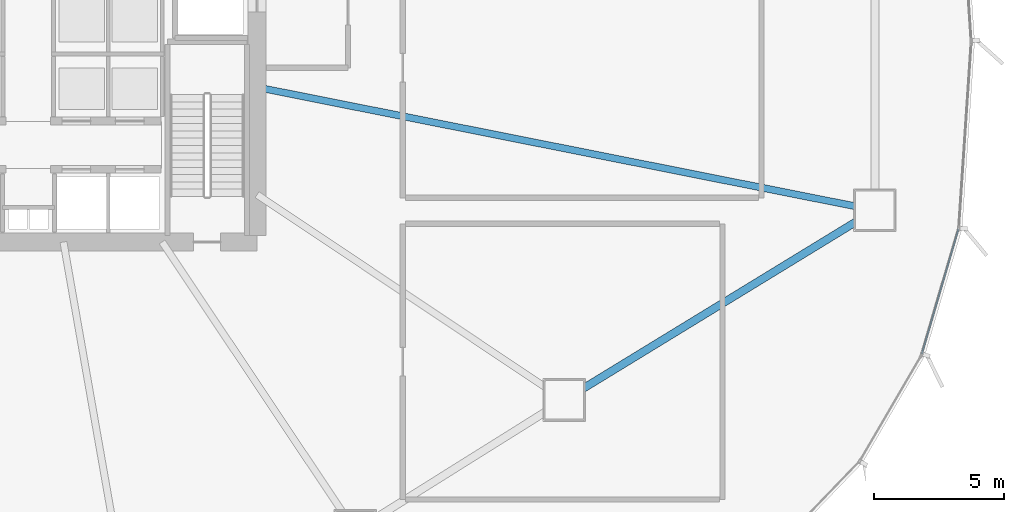
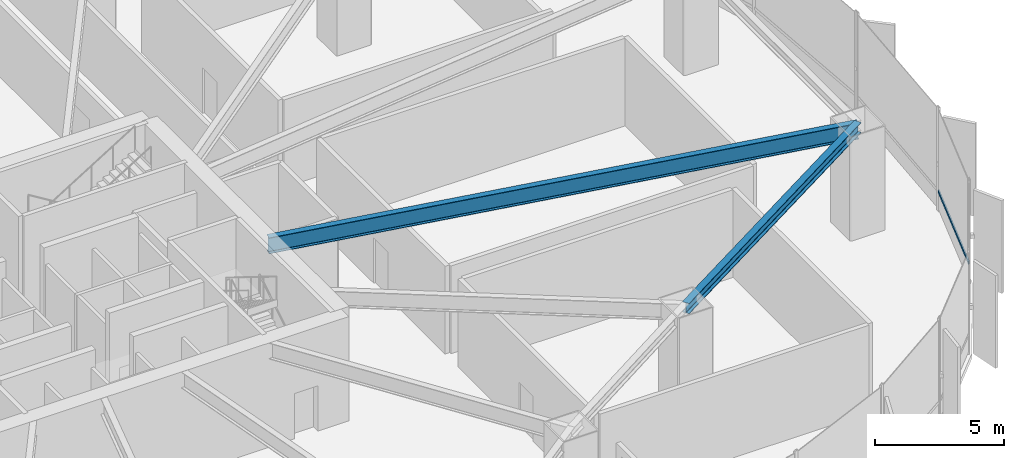
# One storey, part 17 of 35: 2 beams, 1 member, 1 element without a shape of its own.
"""IFC4 building model written with IfcOpenShell, lengths in metres."""

import ifcopenshell
import ifcopenshell.guid

model = None  # the IFC model being written
_history = None  # IfcOwnerHistory: only IFC2X3 demands one
_inside = {}  # id of a spatial element -> (the spatial element, [elements in it])
_under = {}  # id of a project, library or spatial element -> (it, [spatial elements below it])
_declared = {}  # id of a project -> (the project, [libraries it declares])
_typed = {}  # id of a type object -> (the type object, [elements of that type])
_made_of = {}  # id of a material, layer set ... -> (it, [elements and type objects made of it])


def new_model(schema):
    """Start an empty IFC model of exactly this schema.

    Asked for "IFC4X3", IfcOpenShell would pick the latest addendum, in which some entities
    have other attributes; the version numbers below select the first issue.
    IFC2X3 requires an IfcOwnerHistory on every rooted entity: one is made here for all.
    """
    global model, _history
    if schema == "IFC4X3":
        model = ifcopenshell.file(schema_version=(4, 3, 0, 0))
    else:
        model = ifcopenshell.file(schema=schema)
    _inside.clear()
    _under.clear()
    _declared.clear()
    _typed.clear()
    _made_of.clear()
    _history = None
    if model.schema == "IFC2X3":
        org = make("IfcOrganization", Name="unknown")
        user = make(
            "IfcPersonAndOrganization",
            ThePerson=make("IfcPerson", FamilyName="unknown"),
            TheOrganization=org,
        )
        app = make(
            "IfcApplication",
            ApplicationDeveloper=org,
            Version="unknown",
            ApplicationFullName="unknown",
            ApplicationIdentifier="unknown",
        )
        _history = make(
            "IfcOwnerHistory",
            OwningUser=user,
            OwningApplication=app,
            ChangeAction="ADDED",
            CreationDate=0,
        )
    return model


def make(cls, **values):
    """One entity of the class cls with the attributes given. An attribute that is None is left unset."""
    return model.create_entity(
        cls, **{name: value for name, value in values.items() if value is not None}
    )


def rooted(cls, **values):
    """An entity with a GlobalId (a new one), such as an element, a storey or a relation."""
    return make(cls, GlobalId=ifcopenshell.guid.new(), OwnerHistory=_history, **values)


def si_unit(unit_type, name, prefix=None):
    """IfcSIUnit, for example si_unit("LENGTHUNIT", "METRE", prefix="MILLI")."""
    return make("IfcSIUnit", UnitType=unit_type, Prefix=prefix, Name=name)


def assignment(units):
    """IfcUnitAssignment: the units of a project."""
    return None if units is None else make("IfcUnitAssignment", Units=units)


def point(xyz):
    """IfcCartesianPoint."""
    return None if xyz is None else make("IfcCartesianPoint", Coordinates=xyz)


def direction(xyz):
    """IfcDirection."""
    return None if xyz is None else make("IfcDirection", DirectionRatios=xyz)


def frame(location, z_axis=None, x_axis=None):
    """IfcAxis2Placement3D, a coordinate frame: its origin and axes. An axis left out is left unset."""
    return make(
        "IfcAxis2Placement3D",
        Location=point(location),
        Axis=direction(z_axis),
        RefDirection=direction(x_axis),
    )


def frame_2d(location, x_axis=None):
    """IfcAxis2Placement2D, a coordinate frame in the plane: its origin and x axis."""
    return make(
        "IfcAxis2Placement2D", Location=point(location), RefDirection=direction(x_axis)
    )


def origin():
    """The frame at (0, 0, 0) with its axes left unset."""
    return frame((0.0, 0.0, 0.0))


def origin_2d():
    """The frame at (0, 0) in the plane with its x axis left unset."""
    return frame_2d((0.0, 0.0))


def place(relative_to, where):
    """IfcLocalPlacement: puts the frame where relative to a parent placement (None: the world)."""
    return make(
        "IfcLocalPlacement", PlacementRelTo=relative_to, RelativePlacement=where
    )


def context(
    kind, dimensions, precision=None, world=None, true_north=None, identifier=None
):
    """IfcGeometricRepresentationContext, for example the 3D "Model" context."""
    return make(
        "IfcGeometricRepresentationContext",
        ContextIdentifier=identifier,
        ContextType=kind,
        CoordinateSpaceDimension=dimensions,
        Precision=precision,
        WorldCoordinateSystem=world,
        TrueNorth=true_north,
    )


def subcontext(parent, identifier, kind, view, scale=None):
    """IfcGeometricRepresentationSubContext, for example "Body" below "Model"."""
    return make(
        "IfcGeometricRepresentationSubContext",
        ContextIdentifier=identifier,
        ContextType=kind,
        ParentContext=parent,
        TargetScale=scale,
        TargetView=view,
    )


def project(units=None, contexts=None):
    """IfcProject with its units and contexts."""
    return rooted(
        "IfcProject",
        Name="project",
        RepresentationContexts=contexts,
        UnitsInContext=assignment(units),
    )


def spatial(cls, under=None, at=None, **own):
    """A site, building, storey or space (cls), placed at a placement, below another one or the project."""
    s = rooted(cls, ObjectPlacement=at, **own)
    if under is not None:
        _under.setdefault(under.id(), (under, []))[1].append(s)
    return s


def profile(cls, at=None, kind="AREA", **sizes):
    """A parametric profile (cls). Its sizes go by their IFC names, for example OverallWidth=200.0."""
    return make(cls, ProfileType=kind, Position=at, **sizes)


def hollow_rectangle(**sizes):
    """IfcRectangleHollowProfileDef."""
    return profile("IfcRectangleHollowProfileDef", **sizes)


def i_section(**sizes):
    """IfcIShapeProfileDef."""
    return profile("IfcIShapeProfileDef", **sizes)


def extrude(swept, where, along, depth):
    """IfcExtrudedAreaSolid: the profile swept, set in the frame where, extruded along a direction by depth."""
    return make(
        "IfcExtrudedAreaSolid",
        SweptArea=swept,
        Position=where,
        ExtrudedDirection=direction(along),
        Depth=depth,
    )


def shape(context_of_items, identifier, shape_type, items):
    """IfcShapeRepresentation: the items that make up one representation, for example the "Body"."""
    return make(
        "IfcShapeRepresentation",
        ContextOfItems=context_of_items,
        RepresentationIdentifier=identifier,
        RepresentationType=shape_type,
        Items=items,
    )


def source(mapping_origin, context_of_items, identifier, shape_type, items):
    """IfcRepresentationMap: a shape defined once, which mapped items show again and again."""
    return make(
        "IfcRepresentationMap",
        MappingOrigin=mapping_origin,
        MappedRepresentation=shape(context_of_items, identifier, shape_type, items),
    )


def transform(
    local_origin,
    x_axis=None,
    y_axis=None,
    z_axis=None,
    scale=None,
    scale2=None,
    scale3=None,
    uniform=True,
):
    """IfcCartesianTransformationOperator3D, or its non-uniform kind. x_axis, y_axis, z_axis: its Axis1, 2, 3."""
    if uniform:
        return make(
            "IfcCartesianTransformationOperator3D",
            Axis1=direction(x_axis),
            Axis2=direction(y_axis),
            LocalOrigin=point(local_origin),
            Scale=scale,
            Axis3=direction(z_axis),
        )
    return make(
        "IfcCartesianTransformationOperator3DnonUniform",
        Axis1=direction(x_axis),
        Axis2=direction(y_axis),
        LocalOrigin=point(local_origin),
        Scale=scale,
        Axis3=direction(z_axis),
        Scale2=scale2,
        Scale3=scale3,
    )


def mapped(mapping_source, mapping_target):
    """IfcMappedItem: shows the shape of a source again, moved by a transform."""
    return make(
        "IfcMappedItem", MappingSource=mapping_source, MappingTarget=mapping_target
    )


def material(Name=None, Category=None):
    """IfcMaterial."""
    return make("IfcMaterial", Name=Name, Category=Category)


def layer(
    of_material, thickness, ventilated=None, Name=None, Category=None, Priority=None
):
    """IfcMaterialLayer: one layer of a wall or slab, of a material (None: an air gap)."""
    return make(
        "IfcMaterialLayer",
        Material=of_material,
        LayerThickness=thickness,
        IsVentilated=ventilated,
        Name=Name,
        Category=Category,
        Priority=Priority,
    )


def layer_set(layers, Name=None):
    """IfcMaterialLayerSet."""
    return make("IfcMaterialLayerSet", MaterialLayers=layers, LayerSetName=Name)


def material_profile(
    of_material, cross_section, Name=None, Category=None, Priority=None
):
    """IfcMaterialProfile: a cross section and its material."""
    return make(
        "IfcMaterialProfile",
        Name=Name,
        Material=of_material,
        Profile=cross_section,
        Priority=Priority,
        Category=Category,
    )


def profile_set(profiles, Name=None, composite=None):
    """IfcMaterialProfileSet."""
    return make(
        "IfcMaterialProfileSet",
        Name=Name,
        MaterialProfiles=profiles,
        CompositeProfile=composite,
    )


def made_of(thing, what):
    """Note that an element or type object is made of a material, layer set ...; save() writes the relation."""
    if what is not None:
        _made_of.setdefault(what.id(), (what, []))[1].append(thing)
    return thing


def type_object(cls, material=None, **own):
    """A type object (cls), such as IfcWallType, which elements share."""
    return made_of(rooted(cls, **own), material)


def element(
    cls,
    number,
    at=None,
    inside=None,
    cuts=None,
    type_object=None,
    material=None,
    context=None,
    identifier="Body",
    shape_type=None,
    held_by="IfcProductDefinitionShape",
    body=None,
    shapes=None,
    **own,
):
    """One element of the class cls, such as IfcWall. Its Tag is "e" and its number.

    at: its placement. inside: the storey or other place that contains it. cuts: it is an
    opening in that element (IfcRelVoidsElement). A single representation is given by context,
    identifier, shape_type and body (its items); several are given by shapes. held_by: the class
    of the entity that holds the representations. save() writes the other relations.
    """
    e = rooted(cls, Tag="e%d" % number, ObjectPlacement=at, **own)
    if body is not None:
        shapes = [shape(context, identifier, shape_type, body)]
    if shapes is not None:
        e.Representation = make(held_by, Representations=shapes)
    if inside is not None:
        _inside.setdefault(inside.id(), (inside, []))[1].append(e)
    if cuts is not None:
        rooted(
            "IfcRelVoidsElement", RelatingBuildingElement=cuts, RelatedOpeningElement=e
        )
    if type_object is not None:
        _typed.setdefault(type_object.id(), (type_object, []))[1].append(e)
    return made_of(e, material)


def aggregate(whole, parts):
    """IfcRelAggregates: a whole, such as a stair, and the parts it consists of."""
    return rooted("IfcRelAggregates", RelatingObject=whole, RelatedObjects=parts)


def save(model, path):
    """Write the relations noted so far, then the file.

    IfcRelAggregates (storeys below a building ...), IfcRelContainedInSpatialStructure (elements
    in a storey), IfcRelDefinesByType, IfcRelAssociatesMaterial and IfcRelDeclares: one each for
    every whole, place, type object, material and project.
    """
    for whole, parts in _under.values():
        aggregate(whole, parts)
    for where, things in _inside.values():
        rooted(
            "IfcRelContainedInSpatialStructure",
            RelatedElements=things,
            RelatingStructure=where,
        )
    for kind, things in _typed.values():
        rooted("IfcRelDefinesByType", RelatedObjects=things, RelatingType=kind)
    for what, things in _made_of.values():
        rooted("IfcRelAssociatesMaterial", RelatedObjects=things, RelatingMaterial=what)
    for by, libraries in _declared.values():
        rooted("IfcRelDeclares", RelatingContext=by, RelatedDefinitions=libraries)
    model.write(path)


model = new_model("IFC4")

# Units and contexts
model_context = context("Model", 3, precision=1e-05, world=origin(), true_north=direction((0.0, 1.0)))
body_context = subcontext(model_context, "Body", "Model", "MODEL_VIEW")
ifc_project = project(units=[si_unit("LENGTHUNIT", "METRE"), si_unit("AREAUNIT", "SQUARE_METRE"), si_unit("VOLUMEUNIT", "CUBIC_METRE"), si_unit("PLANEANGLEUNIT", "RADIAN"), si_unit("MASSUNIT", "GRAM", prefix="KILO"), si_unit("THERMODYNAMICTEMPERATUREUNIT", "KELVIN")], contexts=[model_context])

# Site, building, storey
site_placement = place(None, origin())
site = spatial("IfcSite", under=ifc_project, at=site_placement, CompositionType="ELEMENT")
building_placement = place(site_placement, origin())
building = spatial("IfcBuilding", under=site, at=building_placement, Name="Kethvar Cultural Tower", CompositionType="ELEMENT")
storey_placement = place(building_placement, origin())
storey = spatial("IfcBuildingStorey", under=building, at=storey_placement, Name="L00", CompositionType="ELEMENT", Elevation=0.0)

# Beams
ifc_material_1 = material(Name="Steel S355J2", Category="steel")
ifc_material_profile_1 = material_profile(ifc_material_1, i_section(OverallWidth=0.300048828125, OverallDepth=0.5, WebThickness=0.014404296875, FlangeThickness=0.028076171875, FilletRadius=0.027099609375, at=origin_2d()), Name="Steel S355J2 — HEB500")
ifc_profile_set_1 = profile_set([ifc_material_profile_1], Name="Steel S355J2 — HEB500")
beam_type_1 = type_object("IfcBeamType", Name="BM-SP500", PredefinedType="SPANDREL", material=ifc_profile_set_1)
shared_shape_1 = source(origin(), body_context, "Body", "SweptSolid", [
    extrude(i_section(OverallWidth=0.300048828125, OverallDepth=0.5, WebThickness=0.014404296875, FlangeThickness=0.028076171875, FilletRadius=0.027099609375, at=origin_2d()), origin(), (0.0, 0.0, 1.0), 13.997802734375),
])
beam_1_placement = place(storey_placement, frame((67.41845703125, 14.023193359375, 4.697998046875), z_axis=(0.853252083851, 0.521498687826, 0.0), x_axis=(-0.521498687826, 0.853252083851, 0.0)))
element("IfcBeam", 1, at=beam_1_placement, inside=storey, type_object=beam_type_1, Name="L00 Podium Ring Beam 15", PredefinedType="SPANDREL", context=body_context, shape_type="MappedRepresentation", body=[
    mapped(shared_shape_1, transform((0.0, 0.0, 0.0), scale=1.0)),
])
ifc_material_profile_2 = material_profile(ifc_material_1, i_section(OverallWidth=0.26708984375, OverallDepth=0.761962890625, WebThickness=0.014404296875, FlangeThickness=0.021484375, FilletRadius=0.01708984375, at=origin_2d()), Name="Steel S355J2 — IPE750x173")
ifc_profile_set_2 = profile_set([ifc_material_profile_2], Name="Steel S355J2 — IPE750x173")
beam_type_2 = type_object("IfcBeamType", Name="BM-IPE750", PredefinedType="BEAM", material=ifc_profile_set_2)
shared_shape_2 = source(origin(), body_context, "Body", "SweptSolid", [
    extrude(i_section(OverallWidth=0.26708984375, OverallDepth=0.761962890625, WebThickness=0.014404296875, FlangeThickness=0.021484375, FilletRadius=0.01708984375, at=origin_2d()), origin(), (0.0, 0.0, 1.0), 24.2275390625),
])
beam_2_placement = place(storey_placement, frame((55.60009765625, 26.049560546875, 4.56689453125), z_axis=(0.980785168194, -0.195090886131, 0.0), x_axis=(0.195090886131, 0.980785168194, 0.0)))
element("IfcBeam", 2, at=beam_2_placement, inside=storey, type_object=beam_type_2, Name="L00 Podium Radial Girder 16", PredefinedType="BEAM", context=body_context, shape_type="MappedRepresentation", body=[
    mapped(shared_shape_2, transform((0.0, 0.0, 0.0), scale=1.0)),
])

# Curtain wall, member
ifc_material_2 = material(Name="Aluminium 6063-T6", Category="aluminium")
ifc_layer = layer(ifc_material_2, 0.179931640625, Name="Aluminium 6063-T6", Category="aluminium")
ifc_layer_set = layer_set([ifc_layer], Name="Aluminium 6063-T6 (180 mm)")
curtain_wall_type = type_object("IfcCurtainWallType", Name="CW-SYS-01-POD", PredefinedType="NOTDEFINED", material=ifc_layer_set)
curtain_wall_placement = place(storey_placement, origin())
curtain_wall = element("IfcCurtainWall", 3, at=curtain_wall_placement, inside=storey, type_object=curtain_wall_type, Name="L00 Curtain Wall Run 05", PredefinedType="NOTDEFINED")
ifc_material_profile_3 = material_profile(ifc_material_2, hollow_rectangle(XDim=0.06005859375, YDim=0.139892578125, WallThickness=0.0048828125, at=origin_2d()), Name="Aluminium 6063-T6 — RHS140x60x5")
ifc_profile_set_3 = profile_set([ifc_material_profile_3], Name="Aluminium 6063-T6 — RHS140x60x5")
member_type = type_object("IfcMemberType", Name="CW-SYS-01-POD-TRN", PredefinedType="USERDEFINED", material=ifc_profile_set_3)
shared_shape_3 = source(origin(), body_context, "Body", "SweptSolid", [
    extrude(hollow_rectangle(XDim=0.06005859375, YDim=0.139892578125, WallThickness=0.0048828125, at=origin_2d()), origin(), (0.0, 0.0, 1.0), 5.0126953125),
])
member_placement = place(storey_placement, frame((81.16552734375, 15.796630859375, 0.949951171875), z_axis=(0.281757580899, 0.959485625534, 0.0), x_axis=(-0.959485625534, 0.281757580899, 0.0)))
member = element("IfcMember", 4, at=member_placement, type_object=member_type, Name="CW-L00-R05 Transom 1", ObjectType="TRANSOM", PredefinedType="USERDEFINED", context=body_context, shape_type="MappedRepresentation", body=[
    mapped(shared_shape_3, transform((0.0, 0.0, 0.0), scale=1.0)),
])
aggregate(curtain_wall, [member])

save(model, "model.ifc")
